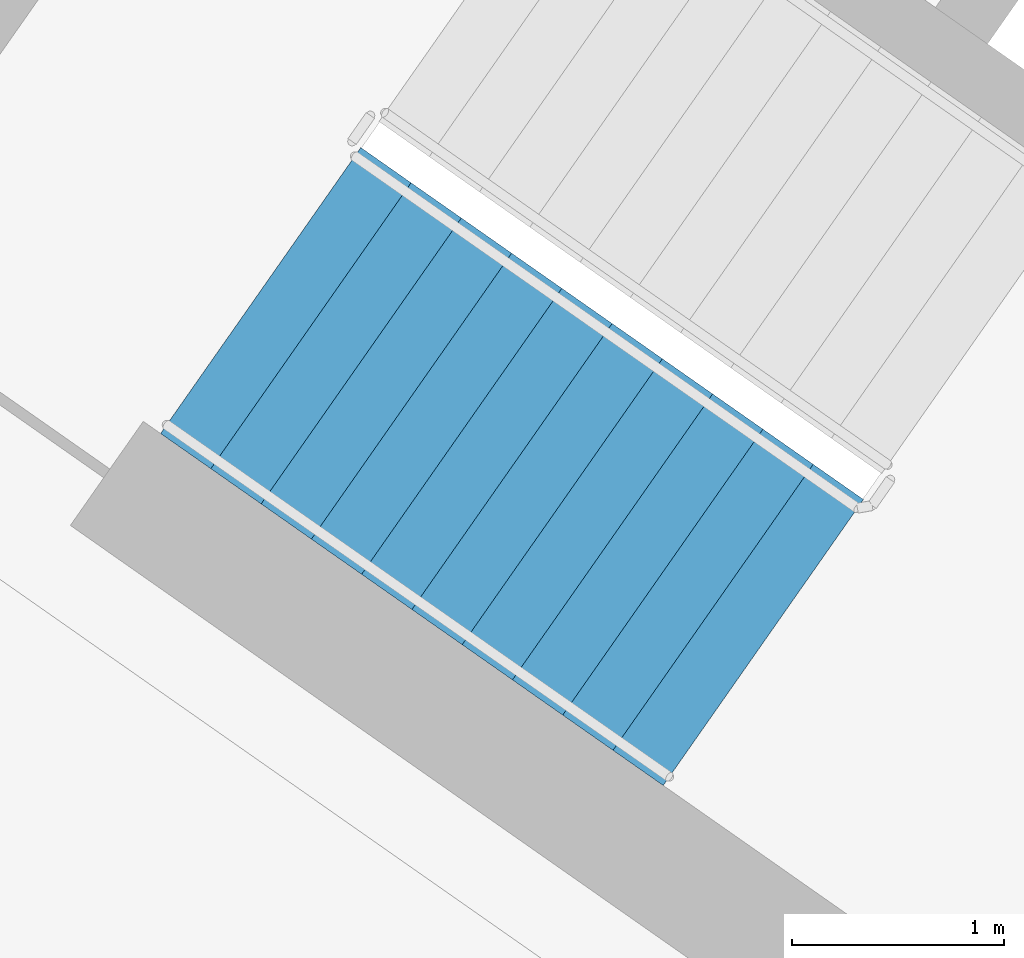
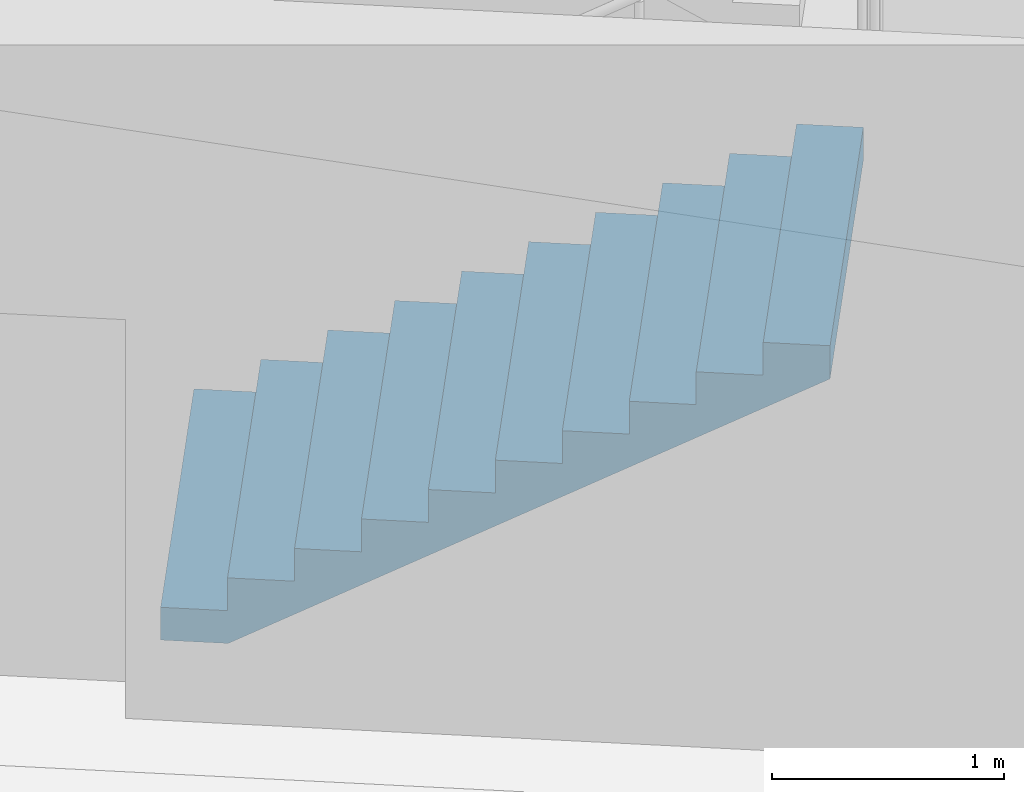
# One storey, part 9 of 27: 1 stair flight, 1 element without a shape of its own.
"""IFC4 building model written with IfcOpenShell, lengths in metres."""

import ifcopenshell
import ifcopenshell.guid

model = None  # the IFC model being written
_history = None  # IfcOwnerHistory: only IFC2X3 demands one
_inside = {}  # id of a spatial element -> (the spatial element, [elements in it])
_under = {}  # id of a project, library or spatial element -> (it, [spatial elements below it])
_declared = {}  # id of a project -> (the project, [libraries it declares])
_typed = {}  # id of a type object -> (the type object, [elements of that type])
_made_of = {}  # id of a material, layer set ... -> (it, [elements and type objects made of it])


def new_model(schema):
    """Start an empty IFC model of exactly this schema.

    Asked for "IFC4X3", IfcOpenShell would pick the latest addendum, in which some entities
    have other attributes; the version numbers below select the first issue.
    IFC2X3 requires an IfcOwnerHistory on every rooted entity: one is made here for all.
    """
    global model, _history
    if schema == "IFC4X3":
        model = ifcopenshell.file(schema_version=(4, 3, 0, 0))
    else:
        model = ifcopenshell.file(schema=schema)
    _inside.clear()
    _under.clear()
    _declared.clear()
    _typed.clear()
    _made_of.clear()
    _history = None
    if model.schema == "IFC2X3":
        org = make("IfcOrganization", Name="unknown")
        user = make(
            "IfcPersonAndOrganization",
            ThePerson=make("IfcPerson", FamilyName="unknown"),
            TheOrganization=org,
        )
        app = make(
            "IfcApplication",
            ApplicationDeveloper=org,
            Version="unknown",
            ApplicationFullName="unknown",
            ApplicationIdentifier="unknown",
        )
        _history = make(
            "IfcOwnerHistory",
            OwningUser=user,
            OwningApplication=app,
            ChangeAction="ADDED",
            CreationDate=0,
        )
    return model


def make(cls, **values):
    """One entity of the class cls with the attributes given. An attribute that is None is left unset."""
    return model.create_entity(
        cls, **{name: value for name, value in values.items() if value is not None}
    )


def rooted(cls, **values):
    """An entity with a GlobalId (a new one), such as an element, a storey or a relation."""
    return make(cls, GlobalId=ifcopenshell.guid.new(), OwnerHistory=_history, **values)


def si_unit(unit_type, name, prefix=None):
    """IfcSIUnit, for example si_unit("LENGTHUNIT", "METRE", prefix="MILLI")."""
    return make("IfcSIUnit", UnitType=unit_type, Prefix=prefix, Name=name)


def assignment(units):
    """IfcUnitAssignment: the units of a project."""
    return None if units is None else make("IfcUnitAssignment", Units=units)


def point(xyz):
    """IfcCartesianPoint."""
    return None if xyz is None else make("IfcCartesianPoint", Coordinates=xyz)


def direction(xyz):
    """IfcDirection."""
    return None if xyz is None else make("IfcDirection", DirectionRatios=xyz)


def frame(location, z_axis=None, x_axis=None):
    """IfcAxis2Placement3D, a coordinate frame: its origin and axes. An axis left out is left unset."""
    return make(
        "IfcAxis2Placement3D",
        Location=point(location),
        Axis=direction(z_axis),
        RefDirection=direction(x_axis),
    )


def origin():
    """The frame at (0, 0, 0) with its axes left unset."""
    return frame((0.0, 0.0, 0.0))


def place(relative_to, where):
    """IfcLocalPlacement: puts the frame where relative to a parent placement (None: the world)."""
    return make(
        "IfcLocalPlacement", PlacementRelTo=relative_to, RelativePlacement=where
    )


def context(
    kind, dimensions, precision=None, world=None, true_north=None, identifier=None
):
    """IfcGeometricRepresentationContext, for example the 3D "Model" context."""
    return make(
        "IfcGeometricRepresentationContext",
        ContextIdentifier=identifier,
        ContextType=kind,
        CoordinateSpaceDimension=dimensions,
        Precision=precision,
        WorldCoordinateSystem=world,
        TrueNorth=true_north,
    )


def subcontext(parent, identifier, kind, view, scale=None):
    """IfcGeometricRepresentationSubContext, for example "Body" below "Model"."""
    return make(
        "IfcGeometricRepresentationSubContext",
        ContextIdentifier=identifier,
        ContextType=kind,
        ParentContext=parent,
        TargetScale=scale,
        TargetView=view,
    )


def project(units=None, contexts=None):
    """IfcProject with its units and contexts."""
    return rooted(
        "IfcProject",
        Name="project",
        RepresentationContexts=contexts,
        UnitsInContext=assignment(units),
    )


def spatial(cls, under=None, at=None, **own):
    """A site, building, storey or space (cls), placed at a placement, below another one or the project."""
    s = rooted(cls, ObjectPlacement=at, **own)
    if under is not None:
        _under.setdefault(under.id(), (under, []))[1].append(s)
    return s


def faces_of(points, faces, orient=None, outer=None):
    """IfcFace entities. A face is a list of loops; a loop is a list of indices into points, from 0.

    orient and outer hold one flag for each loop. By default every Orientation is true, the
    first loop of a face is its IfcFaceOuterBound and the others are IfcFaceBound.
    """
    made = []
    for i, loops in enumerate(faces):
        bounds = []
        for j, loop in enumerate(loops):
            is_outer = j == 0 if outer is None else outer[i][j]
            bounds.append(
                make(
                    "IfcFaceOuterBound" if is_outer else "IfcFaceBound",
                    Bound=make("IfcPolyLoop", Polygon=[points[k] for k in loop]),
                    Orientation=True if orient is None else orient[i][j],
                )
            )
        made.append(make("IfcFace", Bounds=bounds))
    return made


def faceted_brep(points, faces, orient=None, outer=None, voids=None):
    """IfcFacetedBrep: a solid bounded by flat faces; with voids (closed shells), ...WithVoids."""
    shared = [point(p) for p in points]
    hull = make("IfcClosedShell", CfsFaces=faces_of(shared, faces, orient, outer))
    if voids is None:
        return make("IfcFacetedBrep", Outer=hull)
    return make(
        "IfcFacetedBrepWithVoids",
        Outer=hull,
        Voids=[
            make(cls, CfsFaces=faces_of(shared, fs, o, b)) for cls, fs, o, b in voids
        ],
    )


def shape(context_of_items, identifier, shape_type, items):
    """IfcShapeRepresentation: the items that make up one representation, for example the "Body"."""
    return make(
        "IfcShapeRepresentation",
        ContextOfItems=context_of_items,
        RepresentationIdentifier=identifier,
        RepresentationType=shape_type,
        Items=items,
    )


def material(Name=None, Category=None):
    """IfcMaterial."""
    return make("IfcMaterial", Name=Name, Category=Category)


def made_of(thing, what):
    """Note that an element or type object is made of a material, layer set ...; save() writes the relation."""
    if what is not None:
        _made_of.setdefault(what.id(), (what, []))[1].append(thing)
    return thing


def type_object(cls, material=None, **own):
    """A type object (cls), such as IfcWallType, which elements share."""
    return made_of(rooted(cls, **own), material)


def element(
    cls,
    number,
    at=None,
    inside=None,
    cuts=None,
    type_object=None,
    material=None,
    context=None,
    identifier="Body",
    shape_type=None,
    held_by="IfcProductDefinitionShape",
    body=None,
    shapes=None,
    **own,
):
    """One element of the class cls, such as IfcWall. Its Tag is "e" and its number.

    at: its placement. inside: the storey or other place that contains it. cuts: it is an
    opening in that element (IfcRelVoidsElement). A single representation is given by context,
    identifier, shape_type and body (its items); several are given by shapes. held_by: the class
    of the entity that holds the representations. save() writes the other relations.
    """
    e = rooted(cls, Tag="e%d" % number, ObjectPlacement=at, **own)
    if body is not None:
        shapes = [shape(context, identifier, shape_type, body)]
    if shapes is not None:
        e.Representation = make(held_by, Representations=shapes)
    if inside is not None:
        _inside.setdefault(inside.id(), (inside, []))[1].append(e)
    if cuts is not None:
        rooted(
            "IfcRelVoidsElement", RelatingBuildingElement=cuts, RelatedOpeningElement=e
        )
    if type_object is not None:
        _typed.setdefault(type_object.id(), (type_object, []))[1].append(e)
    return made_of(e, material)


def aggregate(whole, parts):
    """IfcRelAggregates: a whole, such as a stair, and the parts it consists of."""
    return rooted("IfcRelAggregates", RelatingObject=whole, RelatedObjects=parts)


def save(model, path):
    """Write the relations noted so far, then the file.

    IfcRelAggregates (storeys below a building ...), IfcRelContainedInSpatialStructure (elements
    in a storey), IfcRelDefinesByType, IfcRelAssociatesMaterial and IfcRelDeclares: one each for
    every whole, place, type object, material and project.
    """
    for whole, parts in _under.values():
        aggregate(whole, parts)
    for where, things in _inside.values():
        rooted(
            "IfcRelContainedInSpatialStructure",
            RelatedElements=things,
            RelatingStructure=where,
        )
    for kind, things in _typed.values():
        rooted("IfcRelDefinesByType", RelatedObjects=things, RelatingType=kind)
    for what, things in _made_of.values():
        rooted("IfcRelAssociatesMaterial", RelatedObjects=things, RelatingMaterial=what)
    for by, libraries in _declared.values():
        rooted("IfcRelDeclares", RelatingContext=by, RelatedDefinitions=libraries)
    model.write(path)


model = new_model("IFC4")

# Units and contexts
model_context = context("Model", 3, precision=1e-05, world=origin(), true_north=direction((0.0, 1.0)))
body_context = subcontext(model_context, "Body", "Model", "MODEL_VIEW")
ifc_project = project(units=[si_unit("LENGTHUNIT", "METRE"), si_unit("AREAUNIT", "SQUARE_METRE"), si_unit("VOLUMEUNIT", "CUBIC_METRE"), si_unit("PLANEANGLEUNIT", "RADIAN"), si_unit("MASSUNIT", "GRAM", prefix="KILO")], contexts=[model_context])

# Site, building, storey
site_placement = place(None, origin())
site = spatial("IfcSite", under=ifc_project, at=site_placement, CompositionType="ELEMENT")
building_placement = place(site_placement, origin())
building = spatial("IfcBuilding", under=site, at=building_placement, Name="Qamariyya Broadcast Tower", CompositionType="ELEMENT")
storey_placement = place(building_placement, frame((0.0, 0.0, 280.89990234375)))
storey = spatial("IfcBuildingStorey", under=building, at=storey_placement, Name="L68", CompositionType="ELEMENT", Elevation=280.89990234375)

# Stair, stair flight
ifc_material = material(Name="Concrete C50/60", Category="concrete")
stair_type = type_object("IfcStairType", Name="Exit stair 22 risers of 173 mm", PredefinedType="HALF_TURN_STAIR", material=ifc_material)
stair_placement = place(storey_placement, origin())
stair = element("IfcStair", 1, at=stair_placement, inside=storey, type_object=stair_type, Name="L68 Stair W1", PredefinedType="HALF_TURN_STAIR")
stair_flight_type = type_object("IfcStairFlightType", Name="Exit stair flight 11 risers of 173 mm", PredefinedType="STRAIGHT", material=ifc_material)
stair_flight_placement = place(storey_placement, frame((-47.06884765625, -56.982666015625, 0.0), z_axis=(0.0, 0.0, 1.0), x_axis=(0.819152044289, -0.573576436351, 0.0)))
stair_flight = element("IfcStairFlight", 2, at=stair_flight_placement, type_object=stair_flight_type, Name="ST-W1 flight 1", NumberOfRisers=11, NumberOfTreads=10, PredefinedType="STRAIGHT", RiserHeight=0.172727273, TreadLength=0.29, context=body_context, shape_type="Brep", body=[
    faceted_brep([(0.0, 0.824951171875, 0.0), (0.0, 0.824951171875, 0.172607421875), (0.2900390625, 0.824951171875, 0.172607421875), (0.2900390625, 0.824951171875, 0.345458984375), (0.580078125, 0.824951171875, 0.345458984375), (0.580078125, 0.824951171875, 0.51806640625), (0.8701171875, 0.824951171875, 0.51806640625), (0.8701171875, 0.824951171875, 0.69091796875), (1.159912109375, 0.824951171875, 0.69091796875), (1.159912109375, 0.824951171875, 0.863525390625), (1.449951171875, 0.824951171875, 0.863525390625), (1.449951171875, 0.824951171875, 1.036376953125), (1.739990234375, 0.824951171875, 1.036376953125), (1.739990234375, 0.824951171875, 1.208984375), (2.030029296875, 0.824951171875, 1.208984375), (2.030029296875, 0.824951171875, 1.3818359375), (2.320068359375, 0.824951171875, 1.3818359375), (2.320068359375, 0.824951171875, 1.554443359375), (2.610107421875, 0.824951171875, 1.554443359375), (2.610107421875, 0.824951171875, 1.727294921875), (2.89990234375, 0.824951171875, 1.727294921875), (2.89990234375, 0.824951171875, 1.552734375), (0.29296875, 0.824951171875, 0.0), (0.29296875, -0.824951171875, 0.0), (2.89990234375, -0.824951171875, 1.552734375), (2.89990234375, -0.824951171875, 1.727294921875), (2.610107421875, -0.824951171875, 1.727294921875), (2.610107421875, -0.824951171875, 1.554443359375), (2.320068359375, -0.824951171875, 1.554443359375), (2.320068359375, -0.824951171875, 1.3818359375), (2.030029296875, -0.824951171875, 1.3818359375), (2.030029296875, -0.824951171875, 1.208984375), (1.739990234375, -0.824951171875, 1.208984375), (1.739990234375, -0.824951171875, 1.036376953125), (1.449951171875, -0.824951171875, 1.036376953125), (1.449951171875, -0.824951171875, 0.863525390625), (1.159912109375, -0.824951171875, 0.863525390625), (1.159912109375, -0.824951171875, 0.69091796875), (0.8701171875, -0.824951171875, 0.69091796875), (0.8701171875, -0.824951171875, 0.51806640625), (0.580078125, -0.824951171875, 0.51806640625), (0.580078125, -0.824951171875, 0.345458984375), (0.2900390625, -0.824951171875, 0.345458984375), (0.2900390625, -0.824951171875, 0.172607421875), (0.0, -0.824951171875, 0.172607421875), (0.0, -0.824951171875, 0.0), (0.0, 0.10009765625, 0.0), (0.0, 0.086669921875, 0.0), (0.0, 0.0732421875, 0.0), (0.0, 0.06005859375, 0.0), (0.0, 0.046630859375, 0.0), (0.0, 0.033447265625, 0.0), (0.0, 0.02001953125, 0.0), (0.0, 0.006591796875, 0.0), (0.0, -0.006591796875, 0.0), (0.0, -0.02001953125, 0.0), (0.0, -0.033447265625, 0.0), (0.0, -0.046630859375, 0.0), (0.0, -0.06005859375, 0.0), (0.0, -0.0732421875, 0.0), (0.0, -0.086669921875, 0.0), (0.0, -0.10009765625, 0.0), (0.0, -0.10009765625, 0.172607421875), (0.0, -0.086669921875, 0.172607421875), (0.0, -0.0732421875, 0.172607421875), (0.0, -0.06005859375, 0.172607421875), (0.0, -0.046630859375, 0.172607421875), (0.0, -0.033447265625, 0.172607421875), (0.0, -0.02001953125, 0.172607421875), (0.0, -0.006591796875, 0.172607421875), (0.0, 0.006591796875, 0.172607421875), (0.0, 0.02001953125, 0.172607421875), (0.0, 0.033447265625, 0.172607421875), (0.0, 0.046630859375, 0.172607421875), (0.0, 0.06005859375, 0.172607421875), (0.0, 0.0732421875, 0.172607421875), (0.0, 0.086669921875, 0.172607421875), (0.0, 0.10009765625, 0.172607421875), (0.2900390625, -0.10009765625, 0.172607421875), (0.2900390625, -0.086669921875, 0.172607421875), (0.2900390625, -0.0732421875, 0.172607421875), (0.2900390625, -0.06005859375, 0.172607421875), (0.2900390625, -0.046630859375, 0.172607421875), (0.2900390625, -0.033447265625, 0.172607421875), (0.2900390625, -0.02001953125, 0.172607421875), (0.2900390625, -0.006591796875, 0.172607421875), (0.2900390625, 0.006591796875, 0.172607421875), (0.2900390625, 0.02001953125, 0.172607421875), (0.2900390625, 0.033447265625, 0.172607421875), (0.2900390625, 0.046630859375, 0.172607421875), (0.2900390625, 0.06005859375, 0.172607421875), (0.2900390625, 0.0732421875, 0.172607421875), (0.2900390625, 0.086669921875, 0.172607421875), (0.2900390625, 0.10009765625, 0.172607421875), (0.2900390625, -0.10009765625, 0.345458984375), (0.2900390625, -0.086669921875, 0.345458984375), (0.2900390625, -0.0732421875, 0.345458984375), (0.2900390625, -0.06005859375, 0.345458984375), (0.2900390625, -0.046630859375, 0.345458984375), (0.2900390625, -0.033447265625, 0.345458984375), (0.2900390625, -0.02001953125, 0.345458984375), (0.2900390625, -0.006591796875, 0.345458984375), (0.2900390625, 0.006591796875, 0.345458984375), (0.2900390625, 0.02001953125, 0.345458984375), (0.2900390625, 0.033447265625, 0.345458984375), (0.2900390625, 0.046630859375, 0.345458984375), (0.2900390625, 0.06005859375, 0.345458984375), (0.2900390625, 0.0732421875, 0.345458984375), (0.2900390625, 0.086669921875, 0.345458984375), (0.2900390625, 0.10009765625, 0.345458984375), (0.580078125, -0.10009765625, 0.345458984375), (0.580078125, -0.086669921875, 0.345458984375), (0.580078125, -0.0732421875, 0.345458984375), (0.580078125, -0.06005859375, 0.345458984375), (0.580078125, -0.046630859375, 0.345458984375), (0.580078125, -0.033447265625, 0.345458984375), (0.580078125, -0.02001953125, 0.345458984375), (0.580078125, -0.006591796875, 0.345458984375), (0.580078125, 0.006591796875, 0.345458984375), (0.580078125, 0.02001953125, 0.345458984375), (0.580078125, 0.033447265625, 0.345458984375), (0.580078125, 0.046630859375, 0.345458984375), (0.580078125, 0.06005859375, 0.345458984375), (0.580078125, 0.0732421875, 0.345458984375), (0.580078125, 0.086669921875, 0.345458984375), (0.580078125, 0.10009765625, 0.345458984375), (0.580078125, -0.10009765625, 0.51806640625), (0.580078125, -0.086669921875, 0.51806640625), (0.580078125, -0.0732421875, 0.51806640625), (0.580078125, -0.06005859375, 0.51806640625), (0.580078125, -0.046630859375, 0.51806640625), (0.580078125, -0.033447265625, 0.51806640625), (0.580078125, -0.02001953125, 0.51806640625), (0.580078125, -0.006591796875, 0.51806640625), (0.580078125, 0.006591796875, 0.51806640625), (0.580078125, 0.02001953125, 0.51806640625), (0.580078125, 0.033447265625, 0.51806640625), (0.580078125, 0.046630859375, 0.51806640625), (0.580078125, 0.06005859375, 0.51806640625), (0.580078125, 0.0732421875, 0.51806640625), (0.580078125, 0.086669921875, 0.51806640625), (0.580078125, 0.10009765625, 0.51806640625), (0.8701171875, -0.10009765625, 0.51806640625), (0.8701171875, -0.086669921875, 0.51806640625), (0.8701171875, -0.0732421875, 0.51806640625), (0.8701171875, -0.06005859375, 0.51806640625), (0.8701171875, -0.046630859375, 0.51806640625), (0.8701171875, -0.033447265625, 0.51806640625), (0.8701171875, -0.02001953125, 0.51806640625), (0.8701171875, -0.006591796875, 0.51806640625), (0.8701171875, 0.006591796875, 0.51806640625), (0.8701171875, 0.02001953125, 0.51806640625), (0.8701171875, 0.033447265625, 0.51806640625), (0.8701171875, 0.046630859375, 0.51806640625), (0.8701171875, 0.06005859375, 0.51806640625), (0.8701171875, 0.0732421875, 0.51806640625), (0.8701171875, 0.086669921875, 0.51806640625), (0.8701171875, 0.10009765625, 0.51806640625), (0.8701171875, -0.10009765625, 0.69091796875), (0.8701171875, -0.086669921875, 0.69091796875), (0.8701171875, -0.0732421875, 0.69091796875), (0.8701171875, -0.06005859375, 0.69091796875), (0.8701171875, -0.046630859375, 0.69091796875), (0.8701171875, -0.033447265625, 0.69091796875), (0.8701171875, -0.02001953125, 0.69091796875), (0.8701171875, -0.006591796875, 0.69091796875), (0.8701171875, 0.006591796875, 0.69091796875), (0.8701171875, 0.02001953125, 0.69091796875), (0.8701171875, 0.033447265625, 0.69091796875), (0.8701171875, 0.046630859375, 0.69091796875), (0.8701171875, 0.06005859375, 0.69091796875), (0.8701171875, 0.0732421875, 0.69091796875), (0.8701171875, 0.086669921875, 0.69091796875), (0.8701171875, 0.10009765625, 0.69091796875), (1.159912109375, -0.10009765625, 0.69091796875), (1.159912109375, -0.086669921875, 0.69091796875), (1.159912109375, -0.0732421875, 0.69091796875), (1.159912109375, -0.06005859375, 0.69091796875), (1.159912109375, -0.046630859375, 0.69091796875), (1.159912109375, -0.033447265625, 0.69091796875), (1.159912109375, -0.02001953125, 0.69091796875), (1.159912109375, -0.006591796875, 0.69091796875), (1.159912109375, 0.006591796875, 0.69091796875), (1.159912109375, 0.02001953125, 0.69091796875), (1.159912109375, 0.033447265625, 0.69091796875), (1.159912109375, 0.046630859375, 0.69091796875), (1.159912109375, 0.06005859375, 0.69091796875), (1.159912109375, 0.0732421875, 0.69091796875), (1.159912109375, 0.086669921875, 0.69091796875), (1.159912109375, 0.10009765625, 0.69091796875), (1.159912109375, -0.10009765625, 0.863525390625), (1.159912109375, -0.086669921875, 0.863525390625), (1.159912109375, -0.0732421875, 0.863525390625), (1.159912109375, -0.06005859375, 0.863525390625), (1.159912109375, -0.046630859375, 0.863525390625), (1.159912109375, -0.033447265625, 0.863525390625), (1.159912109375, -0.02001953125, 0.863525390625), (1.159912109375, -0.006591796875, 0.863525390625), (1.159912109375, 0.006591796875, 0.863525390625), (1.159912109375, 0.02001953125, 0.863525390625), (1.159912109375, 0.033447265625, 0.863525390625), (1.159912109375, 0.046630859375, 0.863525390625), (1.159912109375, 0.06005859375, 0.863525390625), (1.159912109375, 0.0732421875, 0.863525390625), (1.159912109375, 0.086669921875, 0.863525390625), (1.159912109375, 0.10009765625, 0.863525390625), (1.449951171875, -0.10009765625, 0.863525390625), (1.449951171875, -0.086669921875, 0.863525390625), (1.449951171875, -0.0732421875, 0.863525390625), (1.449951171875, -0.06005859375, 0.863525390625), (1.449951171875, -0.046630859375, 0.863525390625), (1.449951171875, -0.033447265625, 0.863525390625), (1.449951171875, -0.02001953125, 0.863525390625), (1.449951171875, -0.006591796875, 0.863525390625), (1.449951171875, 0.006591796875, 0.863525390625), (1.449951171875, 0.02001953125, 0.863525390625), (1.449951171875, 0.033447265625, 0.863525390625), (1.449951171875, 0.046630859375, 0.863525390625), (1.449951171875, 0.06005859375, 0.863525390625), (1.449951171875, 0.0732421875, 0.863525390625), (1.449951171875, 0.086669921875, 0.863525390625), (1.449951171875, 0.10009765625, 0.863525390625), (1.449951171875, -0.10009765625, 1.036376953125), (1.449951171875, -0.086669921875, 1.036376953125), (1.449951171875, -0.0732421875, 1.036376953125), (1.449951171875, -0.06005859375, 1.036376953125), (1.449951171875, -0.046630859375, 1.036376953125), (1.449951171875, -0.033447265625, 1.036376953125), (1.449951171875, -0.02001953125, 1.036376953125), (1.449951171875, -0.006591796875, 1.036376953125), (1.449951171875, 0.006591796875, 1.036376953125), (1.449951171875, 0.02001953125, 1.036376953125), (1.449951171875, 0.033447265625, 1.036376953125), (1.449951171875, 0.046630859375, 1.036376953125), (1.449951171875, 0.06005859375, 1.036376953125), (1.449951171875, 0.0732421875, 1.036376953125), (1.449951171875, 0.086669921875, 1.036376953125), (1.449951171875, 0.10009765625, 1.036376953125), (1.739990234375, -0.10009765625, 1.036376953125), (1.739990234375, -0.086669921875, 1.036376953125), (1.739990234375, -0.0732421875, 1.036376953125), (1.739990234375, -0.06005859375, 1.036376953125), (1.739990234375, -0.046630859375, 1.036376953125), (1.739990234375, -0.033447265625, 1.036376953125), (1.739990234375, -0.02001953125, 1.036376953125), (1.739990234375, -0.006591796875, 1.036376953125), (1.739990234375, 0.006591796875, 1.036376953125), (1.739990234375, 0.02001953125, 1.036376953125), (1.739990234375, 0.033447265625, 1.036376953125), (1.739990234375, 0.046630859375, 1.036376953125), (1.739990234375, 0.06005859375, 1.036376953125), (1.739990234375, 0.0732421875, 1.036376953125), (1.739990234375, 0.086669921875, 1.036376953125), (1.739990234375, 0.10009765625, 1.036376953125), (1.739990234375, -0.10009765625, 1.208984375), (1.739990234375, -0.086669921875, 1.208984375), (1.739990234375, -0.0732421875, 1.208984375), (1.739990234375, -0.06005859375, 1.208984375), (1.739990234375, -0.046630859375, 1.208984375), (1.739990234375, -0.033447265625, 1.208984375), (1.739990234375, -0.02001953125, 1.208984375), (1.739990234375, -0.006591796875, 1.208984375), (1.739990234375, 0.006591796875, 1.208984375), (1.739990234375, 0.02001953125, 1.208984375), (1.739990234375, 0.033447265625, 1.208984375), (1.739990234375, 0.046630859375, 1.208984375), (1.739990234375, 0.06005859375, 1.208984375), (1.739990234375, 0.0732421875, 1.208984375), (1.739990234375, 0.086669921875, 1.208984375), (1.739990234375, 0.10009765625, 1.208984375), (2.030029296875, -0.10009765625, 1.208984375), (2.030029296875, -0.086669921875, 1.208984375), (2.030029296875, -0.0732421875, 1.208984375), (2.030029296875, -0.06005859375, 1.208984375), (2.030029296875, -0.046630859375, 1.208984375), (2.030029296875, -0.033447265625, 1.208984375), (2.030029296875, -0.02001953125, 1.208984375), (2.030029296875, -0.006591796875, 1.208984375), (2.030029296875, 0.006591796875, 1.208984375), (2.030029296875, 0.02001953125, 1.208984375), (2.030029296875, 0.033447265625, 1.208984375), (2.030029296875, 0.046630859375, 1.208984375), (2.030029296875, 0.06005859375, 1.208984375), (2.030029296875, 0.0732421875, 1.208984375), (2.030029296875, 0.086669921875, 1.208984375), (2.030029296875, 0.10009765625, 1.208984375), (2.030029296875, -0.10009765625, 1.3818359375), (2.030029296875, -0.086669921875, 1.3818359375), (2.030029296875, -0.0732421875, 1.3818359375), (2.030029296875, -0.06005859375, 1.3818359375), (2.030029296875, -0.046630859375, 1.3818359375), (2.030029296875, -0.033447265625, 1.3818359375), (2.030029296875, -0.02001953125, 1.3818359375), (2.030029296875, -0.006591796875, 1.3818359375), (2.030029296875, 0.006591796875, 1.3818359375), (2.030029296875, 0.02001953125, 1.3818359375), (2.030029296875, 0.033447265625, 1.3818359375), (2.030029296875, 0.046630859375, 1.3818359375), (2.030029296875, 0.06005859375, 1.3818359375), (2.030029296875, 0.0732421875, 1.3818359375), (2.030029296875, 0.086669921875, 1.3818359375), (2.030029296875, 0.10009765625, 1.3818359375), (2.320068359375, -0.10009765625, 1.3818359375), (2.320068359375, -0.086669921875, 1.3818359375), (2.320068359375, -0.0732421875, 1.3818359375), (2.320068359375, -0.06005859375, 1.3818359375), (2.320068359375, -0.046630859375, 1.3818359375), (2.320068359375, -0.033447265625, 1.3818359375), (2.320068359375, -0.02001953125, 1.3818359375), (2.320068359375, -0.006591796875, 1.3818359375), (2.320068359375, 0.006591796875, 1.3818359375), (2.320068359375, 0.02001953125, 1.3818359375), (2.320068359375, 0.033447265625, 1.3818359375), (2.320068359375, 0.046630859375, 1.3818359375), (2.320068359375, 0.06005859375, 1.3818359375), (2.320068359375, 0.0732421875, 1.3818359375), (2.320068359375, 0.086669921875, 1.3818359375), (2.320068359375, 0.10009765625, 1.3818359375), (2.320068359375, -0.10009765625, 1.554443359375), (2.320068359375, -0.086669921875, 1.554443359375), (2.320068359375, -0.0732421875, 1.554443359375), (2.320068359375, -0.06005859375, 1.554443359375), (2.320068359375, -0.046630859375, 1.554443359375), (2.320068359375, -0.033447265625, 1.554443359375), (2.320068359375, -0.02001953125, 1.554443359375), (2.320068359375, -0.006591796875, 1.554443359375), (2.320068359375, 0.006591796875, 1.554443359375), (2.320068359375, 0.02001953125, 1.554443359375), (2.320068359375, 0.033447265625, 1.554443359375), (2.320068359375, 0.046630859375, 1.554443359375), (2.320068359375, 0.06005859375, 1.554443359375), (2.320068359375, 0.0732421875, 1.554443359375), (2.320068359375, 0.086669921875, 1.554443359375), (2.320068359375, 0.10009765625, 1.554443359375), (2.610107421875, -0.10009765625, 1.554443359375), (2.610107421875, -0.086669921875, 1.554443359375), (2.610107421875, -0.0732421875, 1.554443359375), (2.610107421875, -0.06005859375, 1.554443359375), (2.610107421875, -0.046630859375, 1.554443359375), (2.610107421875, -0.033447265625, 1.554443359375), (2.610107421875, -0.02001953125, 1.554443359375), (2.610107421875, -0.006591796875, 1.554443359375), (2.610107421875, 0.006591796875, 1.554443359375), (2.610107421875, 0.02001953125, 1.554443359375), (2.610107421875, 0.033447265625, 1.554443359375), (2.610107421875, 0.046630859375, 1.554443359375), (2.610107421875, 0.06005859375, 1.554443359375), (2.610107421875, 0.0732421875, 1.554443359375), (2.610107421875, 0.086669921875, 1.554443359375), (2.610107421875, 0.10009765625, 1.554443359375), (2.610107421875, -0.10009765625, 1.727294921875), (2.610107421875, -0.086669921875, 1.727294921875), (2.610107421875, -0.0732421875, 1.727294921875), (2.610107421875, -0.06005859375, 1.727294921875), (2.610107421875, -0.046630859375, 1.727294921875), (2.610107421875, -0.033447265625, 1.727294921875), (2.610107421875, -0.02001953125, 1.727294921875), (2.610107421875, -0.006591796875, 1.727294921875), (2.610107421875, 0.006591796875, 1.727294921875), (2.610107421875, 0.02001953125, 1.727294921875), (2.610107421875, 0.033447265625, 1.727294921875), (2.610107421875, 0.046630859375, 1.727294921875), (2.610107421875, 0.06005859375, 1.727294921875), (2.610107421875, 0.0732421875, 1.727294921875), (2.610107421875, 0.086669921875, 1.727294921875), (2.610107421875, 0.10009765625, 1.727294921875), (2.89990234375, -0.10009765625, 1.727294921875), (2.89990234375, -0.086669921875, 1.727294921875), (2.89990234375, -0.0732421875, 1.727294921875), (2.89990234375, -0.06005859375, 1.727294921875), (2.89990234375, -0.046630859375, 1.727294921875), (2.89990234375, -0.033447265625, 1.727294921875), (2.89990234375, -0.02001953125, 1.727294921875), (2.89990234375, -0.006591796875, 1.727294921875), (2.89990234375, 0.006591796875, 1.727294921875), (2.89990234375, 0.02001953125, 1.727294921875), (2.89990234375, 0.033447265625, 1.727294921875), (2.89990234375, 0.046630859375, 1.727294921875), (2.89990234375, 0.06005859375, 1.727294921875), (2.89990234375, 0.0732421875, 1.727294921875), (2.89990234375, 0.086669921875, 1.727294921875), (2.89990234375, 0.10009765625, 1.727294921875), (2.89990234375, -0.10009765625, 1.552734375), (2.89990234375, -0.086669921875, 1.552734375), (2.89990234375, -0.0732421875, 1.552734375), (2.89990234375, -0.06005859375, 1.552734375), (2.89990234375, -0.046630859375, 1.552734375), (2.89990234375, -0.033447265625, 1.552734375), (2.89990234375, -0.02001953125, 1.552734375), (2.89990234375, -0.006591796875, 1.552734375), (2.89990234375, 0.006591796875, 1.552734375), (2.89990234375, 0.02001953125, 1.552734375), (2.89990234375, 0.033447265625, 1.552734375), (2.89990234375, 0.046630859375, 1.552734375), (2.89990234375, 0.06005859375, 1.552734375), (2.89990234375, 0.0732421875, 1.552734375), (2.89990234375, 0.086669921875, 1.552734375), (2.89990234375, 0.10009765625, 1.552734375), (0.29296875, -0.10009765625, 0.0), (0.29296875, -0.086669921875, 0.0), (0.29296875, -0.0732421875, 0.0), (0.29296875, -0.06005859375, 0.0), (0.29296875, -0.046630859375, 0.0), (0.29296875, -0.033447265625, 0.0), (0.29296875, -0.02001953125, 0.0), (0.29296875, -0.006591796875, 0.0), (0.29296875, 0.006591796875, 0.0), (0.29296875, 0.02001953125, 0.0), (0.29296875, 0.033447265625, 0.0), (0.29296875, 0.046630859375, 0.0), (0.29296875, 0.06005859375, 0.0), (0.29296875, 0.0732421875, 0.0), (0.29296875, 0.086669921875, 0.0), (0.29296875, 0.10009765625, 0.0)], [[[0, 1, 2, 3, 4, 5, 6, 7, 8, 9, 10, 11, 12, 13, 14, 15, 16, 17, 18, 19, 20, 21, 22]], [[23, 24, 25, 26, 27, 28, 29, 30, 31, 32, 33, 34, 35, 36, 37, 38, 39, 40, 41, 42, 43, 44, 45]], [[0, 46, 47, 48, 49, 50, 51, 52, 53, 54, 55, 56, 57, 58, 59, 60, 61, 45, 44, 62, 63, 64, 65, 66, 67, 68, 69, 70, 71, 72, 73, 74, 75, 76, 77, 1]], [[1, 77, 76, 75, 74, 73, 72, 71, 70, 69, 68, 67, 66, 65, 64, 63, 62, 44, 43, 78, 79, 80, 81, 82, 83, 84, 85, 86, 87, 88, 89, 90, 91, 92, 93, 2]], [[2, 93, 92, 91, 90, 89, 88, 87, 86, 85, 84, 83, 82, 81, 80, 79, 78, 43, 42, 94, 95, 96, 97, 98, 99, 100, 101, 102, 103, 104, 105, 106, 107, 108, 109, 3]], [[3, 109, 108, 107, 106, 105, 104, 103, 102, 101, 100, 99, 98, 97, 96, 95, 94, 42, 41, 110, 111, 112, 113, 114, 115, 116, 117, 118, 119, 120, 121, 122, 123, 124, 125, 4]], [[4, 125, 124, 123, 122, 121, 120, 119, 118, 117, 116, 115, 114, 113, 112, 111, 110, 41, 40, 126, 127, 128, 129, 130, 131, 132, 133, 134, 135, 136, 137, 138, 139, 140, 141, 5]], [[5, 141, 140, 139, 138, 137, 136, 135, 134, 133, 132, 131, 130, 129, 128, 127, 126, 40, 39, 142, 143, 144, 145, 146, 147, 148, 149, 150, 151, 152, 153, 154, 155, 156, 157, 6]], [[6, 157, 156, 155, 154, 153, 152, 151, 150, 149, 148, 147, 146, 145, 144, 143, 142, 39, 38, 158, 159, 160, 161, 162, 163, 164, 165, 166, 167, 168, 169, 170, 171, 172, 173, 7]], [[7, 173, 172, 171, 170, 169, 168, 167, 166, 165, 164, 163, 162, 161, 160, 159, 158, 38, 37, 174, 175, 176, 177, 178, 179, 180, 181, 182, 183, 184, 185, 186, 187, 188, 189, 8]], [[8, 189, 188, 187, 186, 185, 184, 183, 182, 181, 180, 179, 178, 177, 176, 175, 174, 37, 36, 190, 191, 192, 193, 194, 195, 196, 197, 198, 199, 200, 201, 202, 203, 204, 205, 9]], [[9, 205, 204, 203, 202, 201, 200, 199, 198, 197, 196, 195, 194, 193, 192, 191, 190, 36, 35, 206, 207, 208, 209, 210, 211, 212, 213, 214, 215, 216, 217, 218, 219, 220, 221, 10]], [[10, 221, 220, 219, 218, 217, 216, 215, 214, 213, 212, 211, 210, 209, 208, 207, 206, 35, 34, 222, 223, 224, 225, 226, 227, 228, 229, 230, 231, 232, 233, 234, 235, 236, 237, 11]], [[11, 237, 236, 235, 234, 233, 232, 231, 230, 229, 228, 227, 226, 225, 224, 223, 222, 34, 33, 238, 239, 240, 241, 242, 243, 244, 245, 246, 247, 248, 249, 250, 251, 252, 253, 12]], [[12, 253, 252, 251, 250, 249, 248, 247, 246, 245, 244, 243, 242, 241, 240, 239, 238, 33, 32, 254, 255, 256, 257, 258, 259, 260, 261, 262, 263, 264, 265, 266, 267, 268, 269, 13]], [[13, 269, 268, 267, 266, 265, 264, 263, 262, 261, 260, 259, 258, 257, 256, 255, 254, 32, 31, 270, 271, 272, 273, 274, 275, 276, 277, 278, 279, 280, 281, 282, 283, 284, 285, 14]], [[14, 285, 284, 283, 282, 281, 280, 279, 278, 277, 276, 275, 274, 273, 272, 271, 270, 31, 30, 286, 287, 288, 289, 290, 291, 292, 293, 294, 295, 296, 297, 298, 299, 300, 301, 15]], [[15, 301, 300, 299, 298, 297, 296, 295, 294, 293, 292, 291, 290, 289, 288, 287, 286, 30, 29, 302, 303, 304, 305, 306, 307, 308, 309, 310, 311, 312, 313, 314, 315, 316, 317, 16]], [[16, 317, 316, 315, 314, 313, 312, 311, 310, 309, 308, 307, 306, 305, 304, 303, 302, 29, 28, 318, 319, 320, 321, 322, 323, 324, 325, 326, 327, 328, 329, 330, 331, 332, 333, 17]], [[17, 333, 332, 331, 330, 329, 328, 327, 326, 325, 324, 323, 322, 321, 320, 319, 318, 28, 27, 334, 335, 336, 337, 338, 339, 340, 341, 342, 343, 344, 345, 346, 347, 348, 349, 18]], [[18, 349, 348, 347, 346, 345, 344, 343, 342, 341, 340, 339, 338, 337, 336, 335, 334, 27, 26, 350, 351, 352, 353, 354, 355, 356, 357, 358, 359, 360, 361, 362, 363, 364, 365, 19]], [[19, 365, 364, 363, 362, 361, 360, 359, 358, 357, 356, 355, 354, 353, 352, 351, 350, 26, 25, 366, 367, 368, 369, 370, 371, 372, 373, 374, 375, 376, 377, 378, 379, 380, 381, 20]], [[20, 381, 380, 379, 378, 377, 376, 375, 374, 373, 372, 371, 370, 369, 368, 367, 366, 25, 24, 382, 383, 384, 385, 386, 387, 388, 389, 390, 391, 392, 393, 394, 395, 396, 397, 21]], [[21, 397, 396, 395, 394, 393, 392, 391, 390, 389, 388, 387, 386, 385, 384, 383, 382, 24, 23, 398, 399, 400, 401, 402, 403, 404, 405, 406, 407, 408, 409, 410, 411, 412, 413, 22]], [[22, 413, 412, 411, 410, 409, 408, 407, 406, 405, 404, 403, 402, 401, 400, 399, 398, 23, 45, 61, 60, 59, 58, 57, 56, 55, 54, 53, 52, 51, 50, 49, 48, 47, 46, 0]]]),
])
aggregate(stair, [stair_flight])

save(model, "model.ifc")
